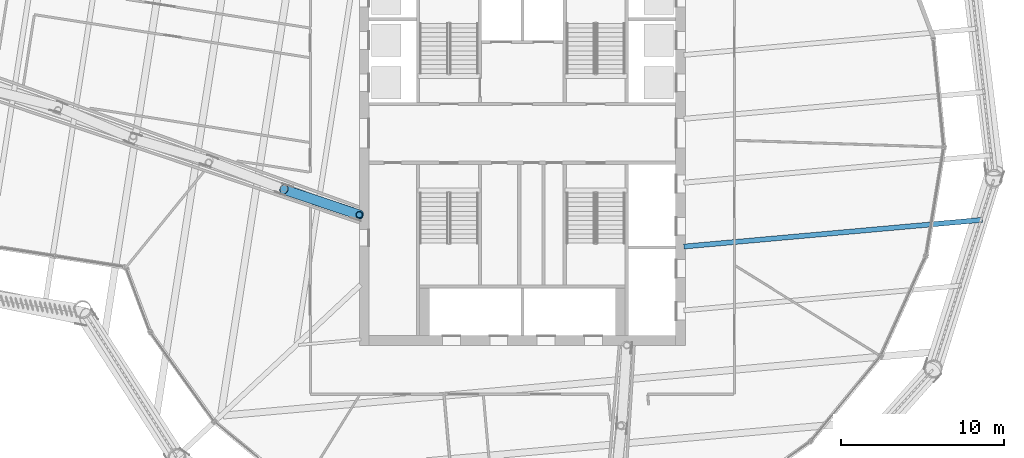
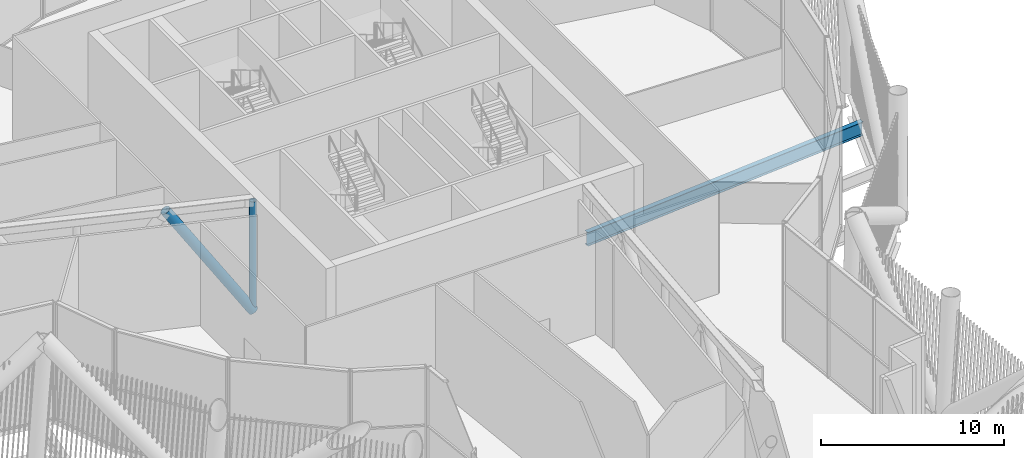
# One storey, part 17 of 55: 2 members, 1 beam.
"""IFC4 building model written with IfcOpenShell, lengths in metres."""

from ifc_helpers import new_model, si_unit, direction, frame, origin, origin_2d, place, context, subcontext, project, spatial, hollow_circle, i_section, extrude, material, material_profile, profile_set, type_object, element, save


model = new_model("IFC4")

# Units and contexts
model_context = context("Model", 3, precision=1e-05, world=origin(), true_north=direction((0.0, 1.0)))
body_context = subcontext(model_context, "Body", "Model", "MODEL_VIEW")
ifc_project = project(units=[si_unit("LENGTHUNIT", "METRE"), si_unit("AREAUNIT", "SQUARE_METRE"), si_unit("VOLUMEUNIT", "CUBIC_METRE"), si_unit("PLANEANGLEUNIT", "RADIAN"), si_unit("MASSUNIT", "GRAM", prefix="KILO")], contexts=[model_context])

# Site, building, storey
site_placement = place(None, origin())
site = spatial("IfcSite", under=ifc_project, at=site_placement, CompositionType="ELEMENT")
building_placement = place(site_placement, origin())
building = spatial("IfcBuilding", under=site, at=building_placement, Name="Tarsis Ring Headquarters", CompositionType="ELEMENT")
storey_placement = place(building_placement, frame((0.0, 0.0, 247.199951171875)))
storey = spatial("IfcBuildingStorey", under=building, at=storey_placement, Name="L58", CompositionType="ELEMENT", Elevation=247.199951171875)

# Beam
ifc_material = material(Name="Structural steel S355", Category="steel")
ifc_material_profile_1 = material_profile(ifc_material, i_section(OverallWidth=0.3046875, OverallDepth=0.904296875, WebThickness=0.01513671875, FlangeThickness=0.02001953125, at=origin_2d()), Name="W36x135")
ifc_profile_set_1 = profile_set([ifc_material_profile_1], Name="Structural steel S355")
beam_type = type_object("IfcBeamType", Name="FB Floor beam W36x135", PredefinedType="JOIST", material=ifc_profile_set_1)
beam_placement = place(storey_placement, frame((9.900390625, -6.944091796875, -0.751953125), z_axis=(0.996010877484, 0.089231899755, 0.0), x_axis=(-0.089231899755, 0.996010877484, 0.0)))
element("IfcBeam", 1, at=beam_placement, inside=storey, type_object=beam_type, Name="Floor beam FB8", PredefinedType="JOIST", context=body_context, shape_type="SweptSolid", body=[
    extrude(i_section(OverallWidth=0.3046875, OverallDepth=0.904296875, WebThickness=0.01513671875, FlangeThickness=0.02001953125, at=origin_2d()), origin(), (0.0, 0.0, 1.0), 18.36962890625),
])

# Members
ifc_material_profile_2 = material_profile(ifc_material, hollow_circle(Radius=0.3046875, WallThickness=0.02490234375, at=origin_2d()), Name="CHS 610x25")
ifc_profile_set_2 = profile_set([ifc_material_profile_2], Name="Structural steel S355")
member_type_1 = type_object("IfcMemberType", Name="OD Outrigger diagonal CHS 610x25", PredefinedType="BRACE", material=ifc_profile_set_2)
member_1_placement = place(storey_placement, frame((-10.0, -5.0, 0.254150390625), z_axis=(-0.525296667568, 0.176881935969, 0.832331779863), x_axis=(-0.31912148837, -0.947713815274, 0.0)))
element("IfcMember", 2, at=member_1_placement, inside=storey, type_object=member_type_1, Name="Outrigger diagonal OD1", PredefinedType="BRACE", context=body_context, shape_type="SweptSolid", body=[
    extrude(hollow_circle(Radius=0.3046875, WallThickness=0.02490234375, at=origin_2d()), origin(), (0.0, 0.0, 1.0), 8.808837890625),
])
ifc_material_profile_3 = material_profile(ifc_material, hollow_circle(Radius=0.203125, WallThickness=0.01611328125, at=origin_2d()), Name="CHS 406x16")
ifc_profile_set_3 = profile_set([ifc_material_profile_3], Name="Structural steel S355")
member_type_2 = type_object("IfcMemberType", Name="OV Outrigger post CHS 406x16", PredefinedType="STRUT", material=ifc_profile_set_3)
member_2_placement = place(storey_placement, frame((-10.0, -5.0, 0.508056640625), z_axis=(0.0, 0.0, 1.0), x_axis=(1.0, 0.0, 0.0)))
element("IfcMember", 3, at=member_2_placement, inside=storey, type_object=member_type_2, Name="Outrigger post OV1", PredefinedType="STRUT", context=body_context, shape_type="SweptSolid", body=[
    extrude(hollow_circle(Radius=0.203125, WallThickness=0.01611328125, at=origin_2d()), origin(), (0.0, 0.0, 1.0), 7.077880859375),
])

save(model, "model.ifc")
